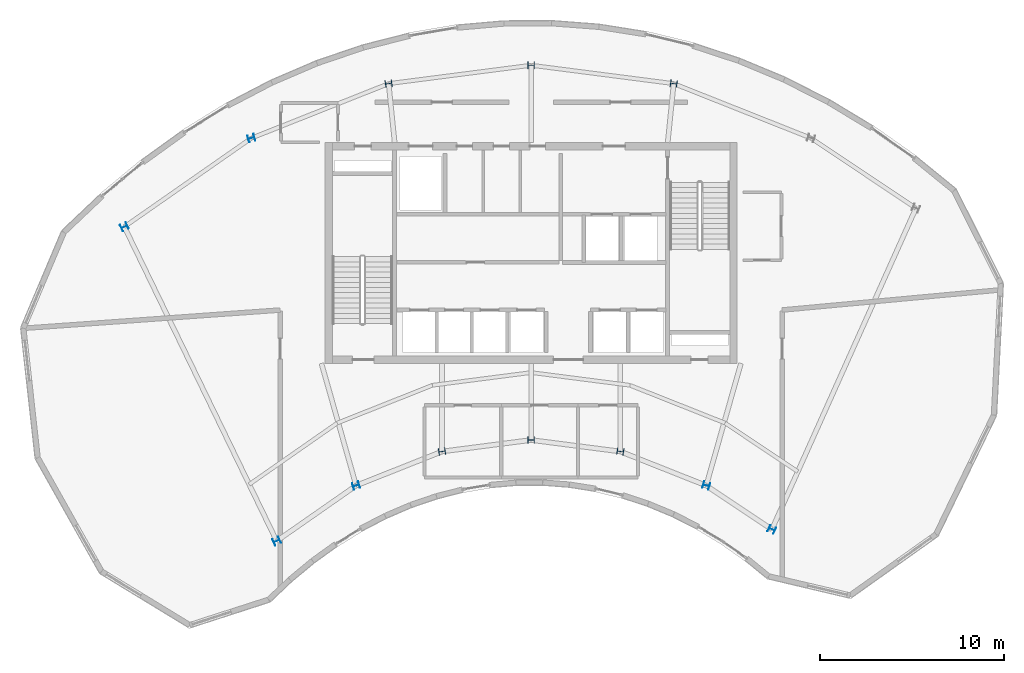
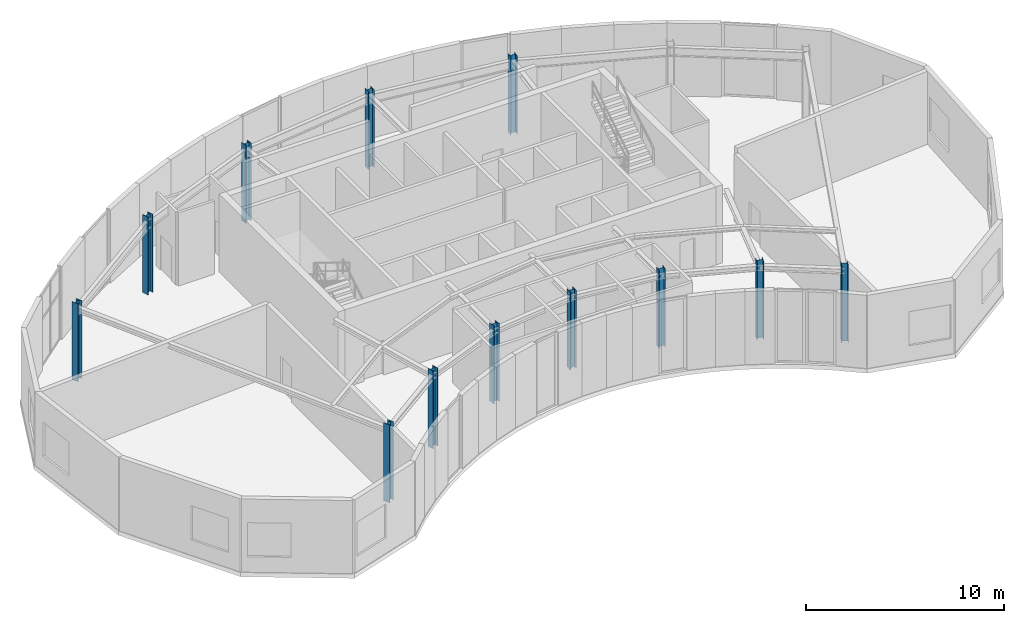
# One storey, part 1 of 10: 12 columns.
"""IFC4 building model written with IfcOpenShell, lengths in metres."""

from ifc_helpers import new_model, si_unit, direction, frame, origin, origin_2d, place, context, subcontext, project, spatial, i_section, extrude, source, transform, mapped, material, material_profile, profile_set, type_object, type_shapes, element, save


model = new_model("IFC4")

# Units and contexts
model_context = context("Model", 3, precision=1e-05, world=origin(), true_north=direction((0.0, 1.0)))
body_context = subcontext(model_context, "Body", "Model", "MODEL_VIEW")
ifc_project = project(units=[si_unit("LENGTHUNIT", "METRE"), si_unit("AREAUNIT", "SQUARE_METRE"), si_unit("VOLUMEUNIT", "CUBIC_METRE"), si_unit("PLANEANGLEUNIT", "RADIAN"), si_unit("MASSUNIT", "GRAM", prefix="KILO")], contexts=[model_context])

# Site, building, storey
site_placement = place(None, origin())
site = spatial("IfcSite", under=ifc_project, at=site_placement, CompositionType="ELEMENT")
building_placement = place(site_placement, origin())
building = spatial("IfcBuilding", under=site, at=building_placement, Name="Breltana Convention Tower", CompositionType="ELEMENT")
storey_placement = place(building_placement, frame((0.0, 0.0, 307.800048828125)))
storey = spatial("IfcBuildingStorey", under=building, at=storey_placement, Name="L75", CompositionType="ELEMENT", Elevation=307.800048828125)

# Columns
ifc_material = material(Name="Steel ASTM A992 Grade 50", Category="steel")
ifc_material_profile = material_profile(ifc_material, i_section(OverallWidth=0.368896484375, OverallDepth=0.35595703125, WebThickness=0.01123046875, FlangeThickness=0.01806640625, at=origin_2d()), Name="W14X90")
ifc_profile_set = profile_set([ifc_material_profile], Name="Steel ASTM A992 Grade 50")
column_type = type_object("IfcColumnType", Name="COL-STL-W14X90", PredefinedType="COLUMN", material=ifc_profile_set)
shared_shape = source(origin(), body_context, "Body", "SweptSolid", [
    extrude(i_section(OverallWidth=0.368896484375, OverallDepth=0.35595703125, WebThickness=0.01123046875, FlangeThickness=0.01806640625, at=origin_2d()), origin(), (0.0, 0.0, 1.0), 4.800048828125),
])
type_shapes(column_type, [shared_shape])
for number, where, z_axis, x_axis, name in (
    (1, (34.166259765625, 50.544921875, 0.0), (0.0, 0.0, 1.0), (-0.436173672171, 0.899862504889, 0.0), "L75 Tower Column R03-IN"),
    (2, (25.8876953125, 67.626953125, 0.0), (0.0, 0.0, 1.0), (-0.436173672171, 0.899862504889, 0.0), "L75 Tower Column R03-OUT"),
    (3, (38.485107421875, 53.5576171875, 0.0), (0.0, 0.0, 1.0), (-0.288697611798, 0.957420330337, 0.0), "L75 Tower Column R04-IN"),
    (4, (32.791015625, 72.4423828125, 0.0), (0.0, 0.0, 1.0), (-0.288697611798, 0.957420330337, 0.0), "L75 Tower Column R04-OUT"),
    (5, (43.153564453125, 55.41064453125, 0.0), (0.0, 0.0, 1.0), (-0.143492621991, 0.98965138682, 0.0), "L75 Tower Column R05-IN"),
    (6, (40.253173828125, 75.404296875, 0.0), (0.0, 0.0, 1.0), (-0.143492621991, 0.98965138682, 0.0), "L75 Tower Column R05-OUT"),
    (7, (48.0, 56.035888671875, 0.0), (0.0, 0.0, 1.0), (0.0, 1.0, 0.0), "L75 Tower Column R06-IN"),
    (8, (48.0, 76.404052734375, 0.0), (0.0, 0.0, 1.0), (0.0, 1.0, 0.0), "L75 Tower Column R06-OUT"),
    (9, (52.846435546875, 55.41064453125, 0.0), (0.0, 0.0, 1.0), (0.143492621991, 0.98965138682, 0.0), "L75 Tower Column R07-IN"),
    (10, (55.746826171875, 75.404296875, 0.0), (0.0, 0.0, 1.0), (0.143492621991, 0.98965138682, 0.0), "L75 Tower Column R07-OUT"),
    (11, (57.514892578125, 53.5576171875, 0.0), (0.0, 0.0, 1.0), (0.288697611798, 0.957420330337, 0.0), "L75 Tower Column R08-IN"),
    (12, (61.08203125, 51.174560546875, 0.0), (0.0, 0.0, 1.0), (0.409126902895, 0.912477494148, 0.0), "L75 Tower Column R09-IN"),
):
    element("IfcColumn", number, at=place(storey_placement, frame(where, z_axis=z_axis, x_axis=x_axis)), inside=storey, type_object=column_type, Name=name, PredefinedType="COLUMN", context=body_context, shape_type="MappedRepresentation", body=[
        mapped(shared_shape, transform((0.0, 0.0, 0.0), scale=1.0)),
    ])

save(model, "model.ifc")
